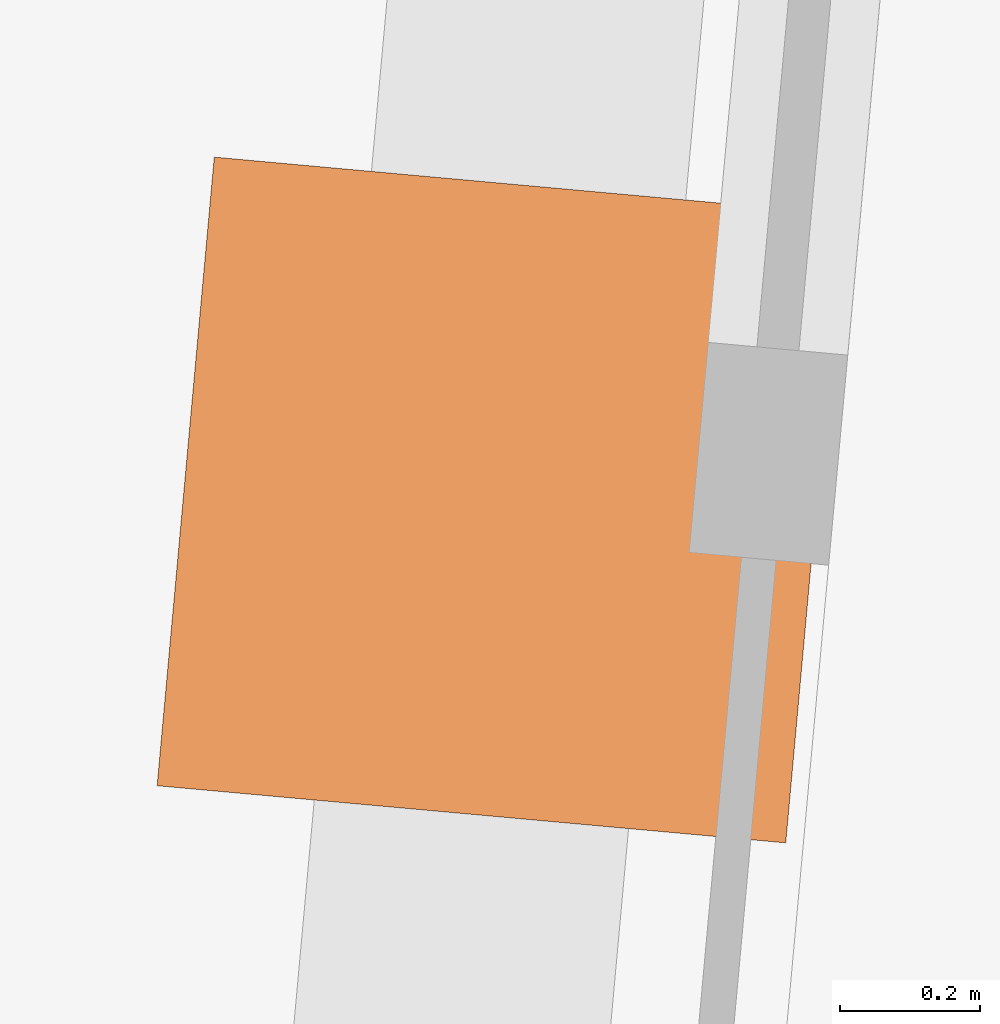
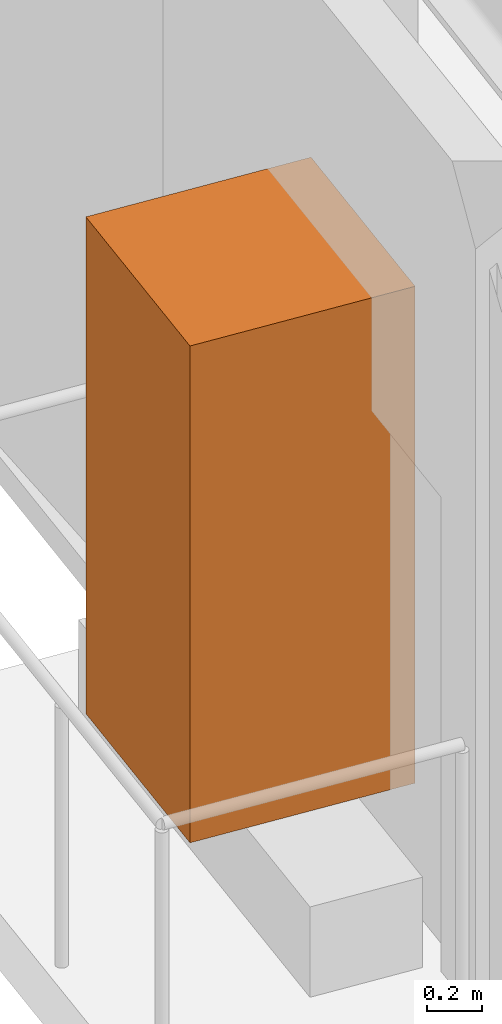
# One storey, part 8 of 8: 1 geographic element.
"""IFC4 building model written with IfcOpenShell, lengths in metres."""

from ifc_helpers import new_model, si_unit, direction, frame, origin, origin_2d, place, context, subcontext, project, spatial, rectangle, extrude, material, type_object, element, save


model = new_model("IFC4")

# Units and contexts
model_context = context("Model", 3, precision=1e-05, world=origin(), true_north=direction((0.0, 1.0)))
body_context = subcontext(model_context, "Body", "Model", "MODEL_VIEW")
ifc_project = project(units=[si_unit("LENGTHUNIT", "METRE"), si_unit("AREAUNIT", "SQUARE_METRE"), si_unit("VOLUMEUNIT", "CUBIC_METRE"), si_unit("PLANEANGLEUNIT", "RADIAN"), si_unit("MASSUNIT", "GRAM", prefix="KILO")], contexts=[model_context])

# Site, building, storey
site_placement = place(None, origin())
site = spatial("IfcSite", under=ifc_project, at=site_placement, CompositionType="ELEMENT")
building_placement = place(site_placement, origin())
building = spatial("IfcBuilding", under=site, at=building_placement, Name="Verdant Reach Tower", CompositionType="ELEMENT")
storey_placement = place(building_placement, frame((0.0, 0.0, 22.0)))
storey = spatial("IfcBuildingStorey", under=building, at=storey_placement, Name="L04", CompositionType="ELEMENT", Elevation=22.0)

# Geographic element
ifc_material = material(Name="Planting")
geographic_element_type = type_object("IfcGeographicElementType", Name="EN-TREE", PredefinedType="USERDEFINED", material=ifc_material)
geographic_element_placement = place(storey_placement, frame((-24.09814453125, 10.16796875, 0.39990234375), z_axis=(0.0, 0.0, 1.0), x_axis=(-0.090535746047, -0.995893206467, 0.0)))
element("IfcGeographicElement", 1, at=geographic_element_placement, inside=storey, type_object=geographic_element_type, Name="Balcony tree, Queen palm (Syagrus romanzoffiana), L04 1", ObjectType="TREE", PredefinedType="USERDEFINED", context=body_context, shape_type="SweptSolid", body=[
    extrude(rectangle(XDim=0.89990234375, YDim=0.89990234375, at=origin_2d()), origin(), (0.0, 0.0, 1.0), 2.199951171875),
])

save(model, "model.ifc")
